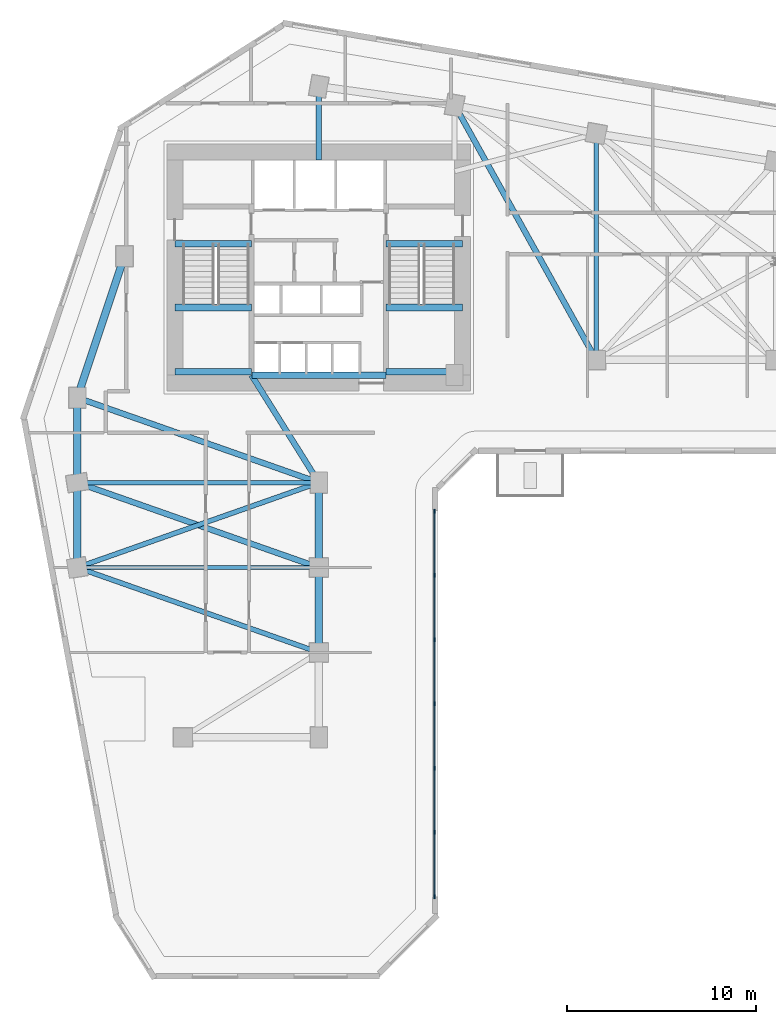
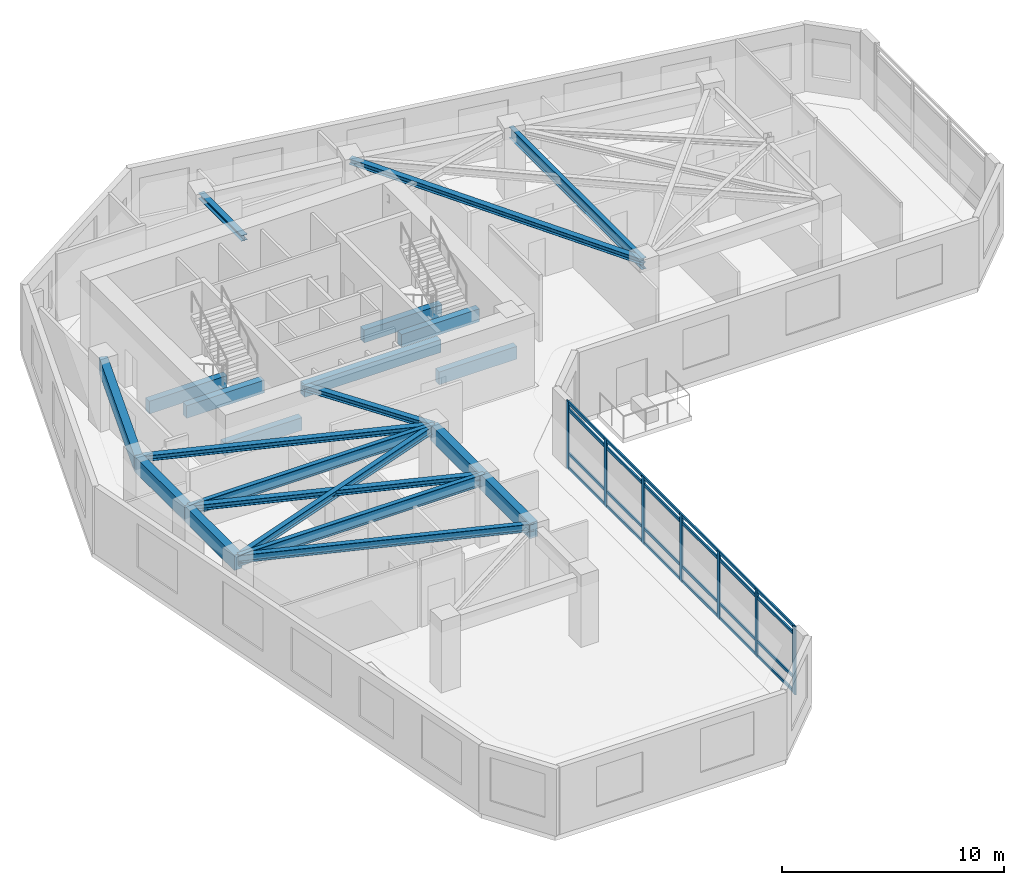
# One storey, part 2 of 10: 22 beams, 11 members, 1 element without a shape of its own.
"""IFC4 building model written with IfcOpenShell, lengths in metres."""

from ifc_helpers import new_model, si_unit, direction, frame, origin, origin_2d, place, context, subcontext, project, spatial, rectangle, i_section, extrude, source, transform, mapped, material, material_profile, profile_set, type_object, element, aggregate, save


model = new_model("IFC4")

# Units and contexts
model_context = context("Model", 3, precision=1e-05, world=origin(), true_north=direction((0.0, 1.0)))
body_context = subcontext(model_context, "Body", "Model", "MODEL_VIEW")
ifc_project = project(units=[si_unit("LENGTHUNIT", "METRE"), si_unit("AREAUNIT", "SQUARE_METRE"), si_unit("VOLUMEUNIT", "CUBIC_METRE"), si_unit("PLANEANGLEUNIT", "RADIAN"), si_unit("MASSUNIT", "GRAM", prefix="KILO")], contexts=[model_context])

# Site, building, storey
site_placement = place(None, origin())
site = spatial("IfcSite", under=ifc_project, at=site_placement, CompositionType="ELEMENT")
building_placement = place(site_placement, origin())
building = spatial("IfcBuilding", under=site, at=building_placement, Name="Calvemar Wedge Station Tower", CompositionType="ELEMENT")
storey_placement = place(building_placement, frame((0.0, 0.0, 95.0)))
storey = spatial("IfcBuildingStorey", under=building, at=storey_placement, Name="L23", CompositionType="ELEMENT", Elevation=95.0)

# Beams
ifc_material_1 = material(Name="Concrete C70", Category="concrete")
ifc_material_profile_1 = material_profile(ifc_material_1, rectangle(XDim=0.35009765625, YDim=0.699951171875, at=origin_2d()), Name="RC350x700")
ifc_profile_set_1 = profile_set([ifc_material_profile_1], Name="Concrete C70")
beam_type_1 = type_object("IfcBeamType", Name="BM-LN1-700", PredefinedType="LINTEL", material=ifc_profile_set_1)
shared_shape_1 = source(origin(), body_context, "Body", "SweptSolid", [
    extrude(rectangle(XDim=0.35009765625, YDim=0.699951171875, at=origin_2d()), origin(), (0.0, 0.0, 1.0), 4.054931640625),
])
for number, where, z_axis, x_axis, name in (
    (1, (16.175048828125, 41.14990234375, -0.35009765625), (1.0, 0.0, 0.0), (0.0, 1.0, 0.0), "Storey L23 Stair ST-C1 Landing Trimmer Beam"),
    (2, (27.3701171875, 41.14990234375, -0.35009765625), (1.0, 0.0, 0.0), (0.0, 1.0, 0.0), "Storey L23 Stair ST-C2 Landing Trimmer Beam"),
    (3, (16.175048828125, 34.3798828125, 1.449951171875), (1.0, 0.0, 0.0), (0.0, 1.0, 0.0), "Storey L23 Stair ST-C1 Half-Landing Beam 1A"),
    (4, (16.175048828125, 37.780029296875, 1.449951171875), (1.0, 0.0, 0.0), (0.0, 1.0, 0.0), "Storey L23 Stair ST-C1 Half-Landing Beam 1B"),
    (5, (27.3701171875, 34.3798828125, 1.449951171875), (1.0, 0.0, 0.0), (0.0, 1.0, 0.0), "Storey L23 Stair ST-C2 Half-Landing Beam 1A"),
    (6, (27.3701171875, 37.780029296875, 1.449951171875), (1.0, 0.0, 0.0), (0.0, 1.0, 0.0), "Storey L23 Stair ST-C2 Half-Landing Beam 1B"),
):
    element("IfcBeam", number, at=place(storey_placement, frame(where, z_axis=z_axis, x_axis=x_axis)), inside=storey, type_object=beam_type_1, Name=name, PredefinedType="LINTEL", context=body_context, shape_type="MappedRepresentation", body=[
        mapped(shared_shape_1, transform((0.0, 0.0, 0.0), scale=1.0)),
    ])
ifc_material_2 = material(Name="Concrete C60", Category="concrete")
ifc_material_profile_2 = material_profile(ifc_material_2, rectangle(XDim=0.39990234375, YDim=0.85009765625, at=origin_2d()), Name="RC400x850")
ifc_profile_set_2 = profile_set([ifc_material_profile_2], Name="Concrete C60")
beam_type_2 = type_object("IfcBeamType", Name="BM-SP1-850", PredefinedType="SPANDREL", material=ifc_profile_set_2)
shared_shape_2 = source(origin(), body_context, "Body", "SweptSolid", [
    extrude(rectangle(XDim=0.39990234375, YDim=0.85009765625, at=origin_2d()), origin(), (0.0, 0.0, 1.0), 7.90576171875),
])
beam_1_placement = place(storey_placement, frame((11.0, 33.0, 3.27490234375), z_axis=(0.316227766017, 0.948683298051, 0.0), x_axis=(-0.948683298051, 0.316227766017, 0.0)))
element("IfcBeam", 7, at=beam_1_placement, inside=storey, type_object=beam_type_2, Name="Storey L23 Spandrel T-NW1-T-NW2", PredefinedType="SPANDREL", context=body_context, shape_type="MappedRepresentation", body=[
    mapped(shared_shape_2, transform((0.0, 0.0, 0.0), scale=1.0)),
])
ifc_material_3 = material(Name="Structural steel ASTM A572 Grade 50", Category="steel")
ifc_material_profile_3 = material_profile(ifc_material_3, i_section(OverallWidth=0.22998046875, OverallDepth=0.616943359375, WebThickness=0.01318359375, FlangeThickness=0.022216796875, FilletRadius=0.012939453125, at=origin_2d()), Name="W610x140")
ifc_profile_set_3 = profile_set([ifc_material_profile_3], Name="Structural steel ASTM A572 Grade 50")
beam_type_3 = type_object("IfcBeamType", Name="BM-SB2-W610", PredefinedType="BEAM", material=ifc_profile_set_3)
shared_shape_3 = source(origin(), body_context, "Body", "SweptSolid", [
    extrude(i_section(OverallWidth=0.22998046875, OverallDepth=0.616943359375, WebThickness=0.01318359375, FlangeThickness=0.022216796875, FilletRadius=0.012939453125, at=origin_2d()), origin(), (0.0, 0.0, 1.0), 12.0),
])
beam_2_placement = place(storey_placement, frame((38.5, 47.0, 3.3916015625), z_axis=(0.0, -1.0, 0.0), x_axis=(1.0, 0.0, 0.0)))
element("IfcBeam", 8, at=beam_2_placement, inside=storey, type_object=beam_type_3, Name="Storey L23 Floor Beam T-NU3-T-NL2", PredefinedType="BEAM", context=body_context, shape_type="MappedRepresentation", body=[
    mapped(shared_shape_3, transform((0.0, 0.0, 0.0), scale=1.0)),
])
shared_shape_4 = source(origin(), body_context, "Body", "SweptSolid", [
    extrude(rectangle(XDim=0.39990234375, YDim=0.85009765625, at=origin_2d()), origin(), (0.0, 0.0, 1.0), 4.5),
])
for number, where, z_axis, x_axis, name in (
    (9, (11.0, 33.0, 3.27490234375), (0.0, -1.0, 0.0), (1.0, 0.0, 0.0), "Storey L23 Spandrel T-NW1-T-SW1"),
    (10, (11.0, 28.5, 3.27490234375), (0.0, -1.0, 0.0), (1.0, 0.0, 0.0), "Storey L23 Spandrel T-SW1-T-SW2"),
    (11, (23.800048828125, 28.5, 3.27490234375), (0.0, -1.0, 0.0), (1.0, 0.0, 0.0), "Storey L23 Spandrel T-SE1-T-SE2"),
    (12, (23.800048828125, 24.0, 3.27490234375), (0.0, -1.0, 0.0), (1.0, 0.0, 0.0), "Storey L23 Spandrel T-SE2-T-SE3"),
):
    element("IfcBeam", number, at=place(storey_placement, frame(where, z_axis=z_axis, x_axis=x_axis)), inside=storey, type_object=beam_type_2, Name=name, PredefinedType="SPANDREL", context=body_context, shape_type="MappedRepresentation", body=[
        mapped(shared_shape_4, transform((0.0, 0.0, 0.0), scale=1.0)),
    ])
shared_shape_5 = source(origin(), body_context, "Body", "SweptSolid", [
    extrude(i_section(OverallWidth=0.22998046875, OverallDepth=0.616943359375, WebThickness=0.01318359375, FlangeThickness=0.022216796875, FilletRadius=0.012939453125, at=origin_2d()), origin(), (0.0, 0.0, 1.0), 12.800048828125),
])
for number, where, z_axis, x_axis, name in (
    (13, (11.0, 28.5, 3.3916015625), (1.0, 0.0, 0.0), (0.0, 1.0, 0.0), "Storey L23 Floor Beam T-SW1-T-SE1"),
    (14, (11.0, 24.0, 3.3916015625), (1.0, 0.0, 0.0), (0.0, 1.0, 0.0), "Storey L23 Floor Beam T-SW2-T-SE2"),
):
    element("IfcBeam", number, at=place(storey_placement, frame(where, z_axis=z_axis, x_axis=x_axis)), inside=storey, type_object=beam_type_3, Name=name, PredefinedType="BEAM", context=body_context, shape_type="MappedRepresentation", body=[
        mapped(shared_shape_5, transform((0.0, 0.0, 0.0), scale=1.0)),
    ])
shared_shape_6 = source(origin(), body_context, "Body", "SweptSolid", [
    extrude(rectangle(XDim=0.35009765625, YDim=0.699951171875, at=origin_2d()), origin(), (0.0, 0.0, 1.0), 7.10009765625),
])
beam_3_placement = place(storey_placement, frame((20.25, 34.199951171875, 3.35009765625), z_axis=(1.0, 0.0, 0.0), x_axis=(0.0, 1.0, 0.0)))
element("IfcBeam", 15, at=beam_3_placement, inside=storey, type_object=beam_type_1, Name="Storey L23 Core Coupling Lintel South", PredefinedType="LINTEL", context=body_context, shape_type="MappedRepresentation", body=[
    mapped(shared_shape_6, transform((0.0, 0.0, 0.0), scale=1.0)),
])
ifc_material_profile_4 = material_profile(ifc_material_3, i_section(OverallWidth=0.304931640625, OverallDepth=0.30810546875, WebThickness=0.010009765625, FlangeThickness=0.015380859375, FilletRadius=0.014892578125, at=origin_2d()), Name="W310x97")
ifc_profile_set_4 = profile_set([ifc_material_profile_4], Name="Structural steel ASTM A572 Grade 50")
beam_type_4 = type_object("IfcBeamType", Name="BM-J6-W310", PredefinedType="JOIST", material=ifc_profile_set_4)
shared_shape_7 = source(origin(), body_context, "Body", "SweptSolid", [
    extrude(i_section(OverallWidth=0.304931640625, OverallDepth=0.30810546875, WebThickness=0.010009765625, FlangeThickness=0.015380859375, FilletRadius=0.014892578125, at=origin_2d()), origin(), (0.0, 0.0, 1.0), 15.443359375),
])
beam_4_placement = place(storey_placement, frame((31.0, 48.5, 3.5458984375), z_axis=(0.485642931179, -0.874157276122, 0.0), x_axis=(0.874157276122, 0.485642931179, 0.0)))
element("IfcBeam", 16, at=beam_4_placement, inside=storey, type_object=beam_type_4, Name="Storey L23 Floor Beam T-N2-T-NL2", PredefinedType="JOIST", context=body_context, shape_type="MappedRepresentation", body=[
    mapped(shared_shape_7, transform((0.0, 0.0, 0.0), scale=1.0)),
])
shared_shape_8 = source(origin(), body_context, "Body", "SweptSolid", [
    extrude(i_section(OverallWidth=0.304931640625, OverallDepth=0.30810546875, WebThickness=0.010009765625, FlangeThickness=0.015380859375, FilletRadius=0.014892578125, at=origin_2d()), origin(), (0.0, 0.0, 1.0), 13.568115234375),
])
for number, where, z_axis, x_axis, name in (
    (17, (11.0, 33.0, 3.5458984375), (0.943398221169, -0.331662171939, 0.0), (0.331662171939, 0.943398221169, 0.0), "Storey L23 Floor Beam T-NW1-T-SE1"),
    (18, (11.0, 28.5, 3.5458984375), (0.943398221169, -0.331662171939, 0.0), (0.331662171939, 0.943398221169, 0.0), "Storey L23 Floor Beam T-SW1-T-SE2"),
):
    element("IfcBeam", number, at=place(storey_placement, frame(where, z_axis=z_axis, x_axis=x_axis)), inside=storey, type_object=beam_type_4, Name=name, PredefinedType="JOIST", context=body_context, shape_type="MappedRepresentation", body=[
        mapped(shared_shape_8, transform((0.0, 0.0, 0.0), scale=1.0)),
    ])
ifc_material_profile_5 = material_profile(ifc_material_3, i_section(OverallWidth=0.260986328125, OverallDepth=0.419921875, WebThickness=0.01171875, FlangeThickness=0.019287109375, FilletRadius=0.012939453125, at=origin_2d()), Name="W410x114")
ifc_profile_set_5 = profile_set([ifc_material_profile_5], Name="Structural steel ASTM A572 Grade 50")
beam_type_5 = type_object("IfcBeamType", Name="BM-J2-W410H", PredefinedType="JOIST", material=ifc_profile_set_5)
shared_shape_9 = source(origin(), body_context, "Body", "SweptSolid", [
    extrude(i_section(OverallWidth=0.260986328125, OverallDepth=0.419921875, WebThickness=0.01171875, FlangeThickness=0.019287109375, FilletRadius=0.012939453125, at=origin_2d()), origin(), (0.0, 0.0, 1.0), 13.568115234375),
])
for number, where, z_axis, x_axis, name in (
    (19, (23.800048828125, 28.5, 3.489990234375), (-0.943398221169, -0.331662171939, 0.0), (0.331662171939, -0.943398221169, 0.0), "Storey L23 Floor Beam T-SE1-T-SW2"),
    (20, (11.0, 24.0, 3.489990234375), (0.943398221169, -0.331662171939, 0.0), (0.331662171939, 0.943398221169, 0.0), "Storey L23 Floor Beam T-SW2-T-SE3"),
):
    element("IfcBeam", number, at=place(storey_placement, frame(where, z_axis=z_axis, x_axis=x_axis)), inside=storey, type_object=beam_type_5, Name=name, PredefinedType="JOIST", context=body_context, shape_type="MappedRepresentation", body=[
        mapped(shared_shape_9, transform((0.0, 0.0, 0.0), scale=1.0)),
    ])
shared_shape_10 = source(origin(), body_context, "Body", "SweptSolid", [
    extrude(i_section(OverallWidth=0.304931640625, OverallDepth=0.30810546875, WebThickness=0.010009765625, FlangeThickness=0.015380859375, FilletRadius=0.014892578125, at=origin_2d()), origin(), (0.0, 0.0, 1.0), 3.89990234375),
])
beam_5_placement = place(storey_placement, frame((23.800048828125, 45.60009765625, 3.5458984375), z_axis=(0.0, 1.0, 0.0), x_axis=(-1.0, 0.0, 0.0)))
element("IfcBeam", 21, at=beam_5_placement, inside=storey, type_object=beam_type_4, Name="Storey L23 Core-to-Column Joist CJ-N1", PredefinedType="JOIST", context=body_context, shape_type="MappedRepresentation", body=[
    mapped(shared_shape_10, transform((0.0, 0.0, 0.0), scale=1.0)),
])
shared_shape_11 = source(origin(), body_context, "Body", "SweptSolid", [
    extrude(i_section(OverallWidth=0.304931640625, OverallDepth=0.30810546875, WebThickness=0.010009765625, FlangeThickness=0.015380859375, FilletRadius=0.014892578125, at=origin_2d()), origin(), (0.0, 0.0, 1.0), 6.7255859375),
])
beam_6_placement = place(storey_placement, frame((20.22998046875, 34.199951171875, 3.5458984375), z_axis=(0.530811158438, -0.847490126242, 0.0), x_axis=(0.847490126242, 0.530811158438, 0.0)))
element("IfcBeam", 22, at=beam_6_placement, inside=storey, type_object=beam_type_4, Name="Storey L23 Core-to-Column Joist CJ-S2", PredefinedType="JOIST", context=body_context, shape_type="MappedRepresentation", body=[
    mapped(shared_shape_11, transform((0.0, 0.0, 0.0), scale=1.0)),
])

# Curtain wall, members
ifc_material_4 = material(Name="Anodised aluminium 6063-T6", Category="aluminium")
curtain_wall_type = type_object("IfcCurtainWallType", Name="CW1", PredefinedType="NOTDEFINED", material=ifc_material_4)
curtain_wall_placement = place(storey_placement, origin())
curtain_wall = element("IfcCurtainWall", 23, at=curtain_wall_placement, inside=storey, type_object=curtain_wall_type, Name="Storey L23 CW1 Recessed Unitised Curtain Wall 4", PredefinedType="NOTDEFINED")
ifc_material_profile_6 = material_profile(ifc_material_4, rectangle(XDim=0.080078125, YDim=0.219970703125, at=origin_2d()), Name="AL-MUL-80x220")
ifc_profile_set_6 = profile_set([ifc_material_profile_6], Name="Anodised aluminium 6063-T6")
member_type_1 = type_object("IfcMemberType", Name="CW1-MUL", PredefinedType="MULLION", material=ifc_profile_set_6)
shared_shape_12 = source(origin(), body_context, "Body", "SweptSolid", [
    extrude(rectangle(XDim=0.080078125, YDim=0.219970703125, at=origin_2d()), origin(), (0.0, 0.0, 1.0), 3.75),
])
member_1_placement = place(storey_placement, frame((29.91796875, 6.56201171875, -0.050048828125), z_axis=(0.0, 0.0, 1.0), x_axis=(1.0, 0.0, 0.0)))
member_1 = element("IfcMember", 24, at=member_1_placement, type_object=member_type_1, Name="CW1 mullion 1", PredefinedType="MULLION", context=body_context, shape_type="MappedRepresentation", body=[
    mapped(shared_shape_12, transform((0.0, 0.0, 0.0), scale=1.0)),
])
member_2_placement = place(storey_placement, frame((29.91796875, 9.966796875, -0.050048828125), z_axis=(0.0, 0.0, 1.0), x_axis=(1.0, 0.0, 0.0)))
member_2 = element("IfcMember", 25, at=member_2_placement, type_object=member_type_1, Name="CW1 mullion 2", PredefinedType="MULLION", context=body_context, shape_type="MappedRepresentation", body=[
    mapped(shared_shape_12, transform((0.0, 0.0, 0.0), scale=1.0)),
])
member_3_placement = place(storey_placement, frame((29.91796875, 13.371337890625, -0.050048828125), z_axis=(0.0, 0.0, 1.0), x_axis=(1.0, 0.0, 0.0)))
member_3 = element("IfcMember", 26, at=member_3_placement, type_object=member_type_1, Name="CW1 mullion 3", PredefinedType="MULLION", context=body_context, shape_type="MappedRepresentation", body=[
    mapped(shared_shape_12, transform((0.0, 0.0, 0.0), scale=1.0)),
])
member_4_placement = place(storey_placement, frame((29.91796875, 16.776123046875, -0.050048828125), z_axis=(0.0, 0.0, 1.0), x_axis=(1.0, 0.0, 0.0)))
member_4 = element("IfcMember", 27, at=member_4_placement, type_object=member_type_1, Name="CW1 mullion 4", PredefinedType="MULLION", context=body_context, shape_type="MappedRepresentation", body=[
    mapped(shared_shape_12, transform((0.0, 0.0, 0.0), scale=1.0)),
])
member_5_placement = place(storey_placement, frame((29.91796875, 20.180908203125, -0.050048828125), z_axis=(0.0, 0.0, 1.0), x_axis=(1.0, 0.0, 0.0)))
member_5 = element("IfcMember", 28, at=member_5_placement, type_object=member_type_1, Name="CW1 mullion 5", PredefinedType="MULLION", context=body_context, shape_type="MappedRepresentation", body=[
    mapped(shared_shape_12, transform((0.0, 0.0, 0.0), scale=1.0)),
])
member_6_placement = place(storey_placement, frame((29.91796875, 23.58544921875, -0.050048828125), z_axis=(0.0, 0.0, 1.0), x_axis=(1.0, 0.0, 0.0)))
member_6 = element("IfcMember", 29, at=member_6_placement, type_object=member_type_1, Name="CW1 mullion 6", PredefinedType="MULLION", context=body_context, shape_type="MappedRepresentation", body=[
    mapped(shared_shape_12, transform((0.0, 0.0, 0.0), scale=1.0)),
])
member_7_placement = place(storey_placement, frame((29.91796875, 26.989990234375, -0.050048828125), z_axis=(0.0, 0.0, 1.0), x_axis=(1.0, 0.0, 0.0)))
member_7 = element("IfcMember", 30, at=member_7_placement, type_object=member_type_1, Name="CW1 mullion 7", PredefinedType="MULLION", context=body_context, shape_type="MappedRepresentation", body=[
    mapped(shared_shape_12, transform((0.0, 0.0, 0.0), scale=1.0)),
])
ifc_material_profile_7 = material_profile(ifc_material_4, rectangle(XDim=0.080078125, YDim=0.159912109375, at=origin_2d()), Name="AL-TRN-80x160")
ifc_profile_set_7 = profile_set([ifc_material_profile_7], Name="Anodised aluminium 6063-T6")
member_type_2 = type_object("IfcMemberType", Name="CW1-TRN", PredefinedType="USERDEFINED", material=ifc_profile_set_7)
shared_shape_13 = source(origin(), body_context, "Body", "SweptSolid", [
    extrude(rectangle(XDim=0.080078125, YDim=0.159912109375, at=origin_2d()), origin(), (0.0, 0.0, 1.0), 20.427978515625),
])
member_8_placement = place(storey_placement, frame((29.91796875, 6.56201171875, 0.06005859375), z_axis=(0.0, 1.0, 0.0), x_axis=(-1.0, 0.0, 0.0)))
member_8 = element("IfcMember", 31, at=member_8_placement, type_object=member_type_2, Name="CW1 transom 1", ObjectType="TRANSOM", PredefinedType="USERDEFINED", context=body_context, shape_type="MappedRepresentation", body=[
    mapped(shared_shape_13, transform((0.0, 0.0, 0.0), scale=1.0)),
])
member_9_placement = place(storey_placement, frame((29.91796875, 6.56201171875, 0.85009765625), z_axis=(0.0, 1.0, 0.0), x_axis=(-1.0, 0.0, 0.0)))
member_9 = element("IfcMember", 32, at=member_9_placement, type_object=member_type_2, Name="CW1 transom 2", ObjectType="TRANSOM", PredefinedType="USERDEFINED", context=body_context, shape_type="MappedRepresentation", body=[
    mapped(shared_shape_13, transform((0.0, 0.0, 0.0), scale=1.0)),
])
member_10_placement = place(storey_placement, frame((29.91796875, 6.56201171875, 3.25), z_axis=(0.0, 1.0, 0.0), x_axis=(-1.0, 0.0, 0.0)))
member_10 = element("IfcMember", 33, at=member_10_placement, type_object=member_type_2, Name="CW1 transom 3", ObjectType="TRANSOM", PredefinedType="USERDEFINED", context=body_context, shape_type="MappedRepresentation", body=[
    mapped(shared_shape_13, transform((0.0, 0.0, 0.0), scale=1.0)),
])
member_11_placement = place(storey_placement, frame((29.91796875, 6.56201171875, 3.639892578125), z_axis=(0.0, 1.0, 0.0), x_axis=(-1.0, 0.0, 0.0)))
member_11 = element("IfcMember", 34, at=member_11_placement, type_object=member_type_2, Name="CW1 transom 4", ObjectType="TRANSOM", PredefinedType="USERDEFINED", context=body_context, shape_type="MappedRepresentation", body=[
    mapped(shared_shape_13, transform((0.0, 0.0, 0.0), scale=1.0)),
])
aggregate(curtain_wall, [member_1, member_2, member_3, member_4, member_5, member_6, member_7, member_8, member_9, member_10, member_11])

save(model, "model.ifc")
